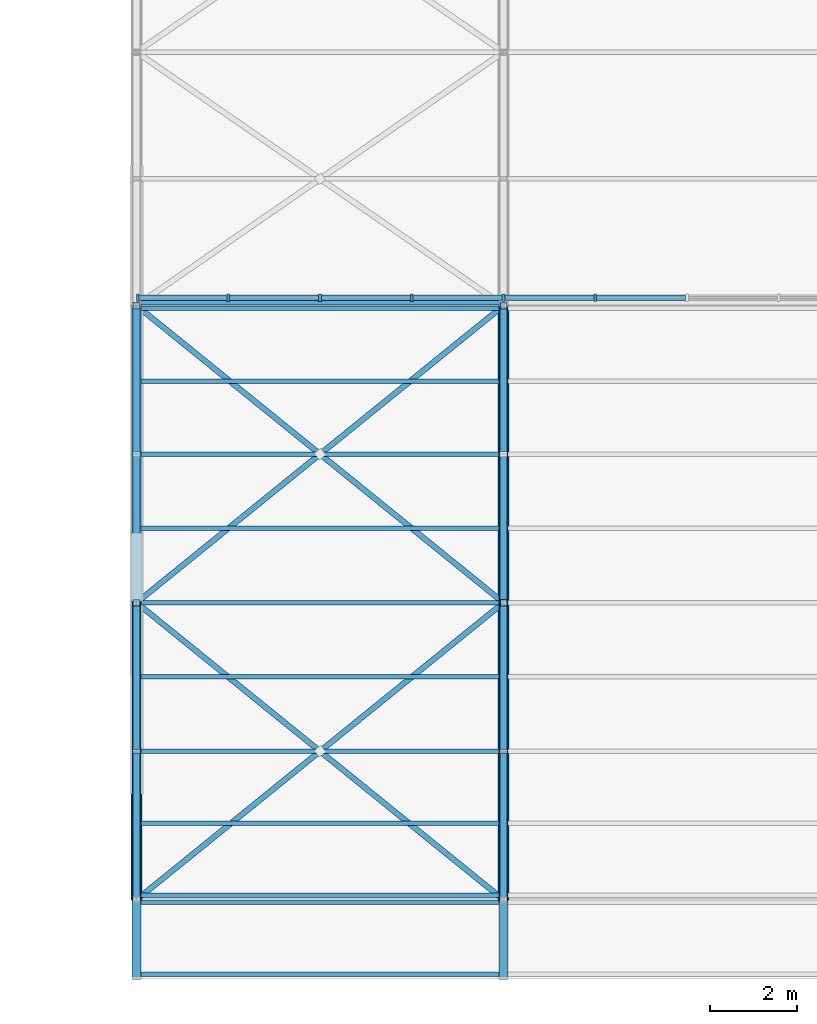
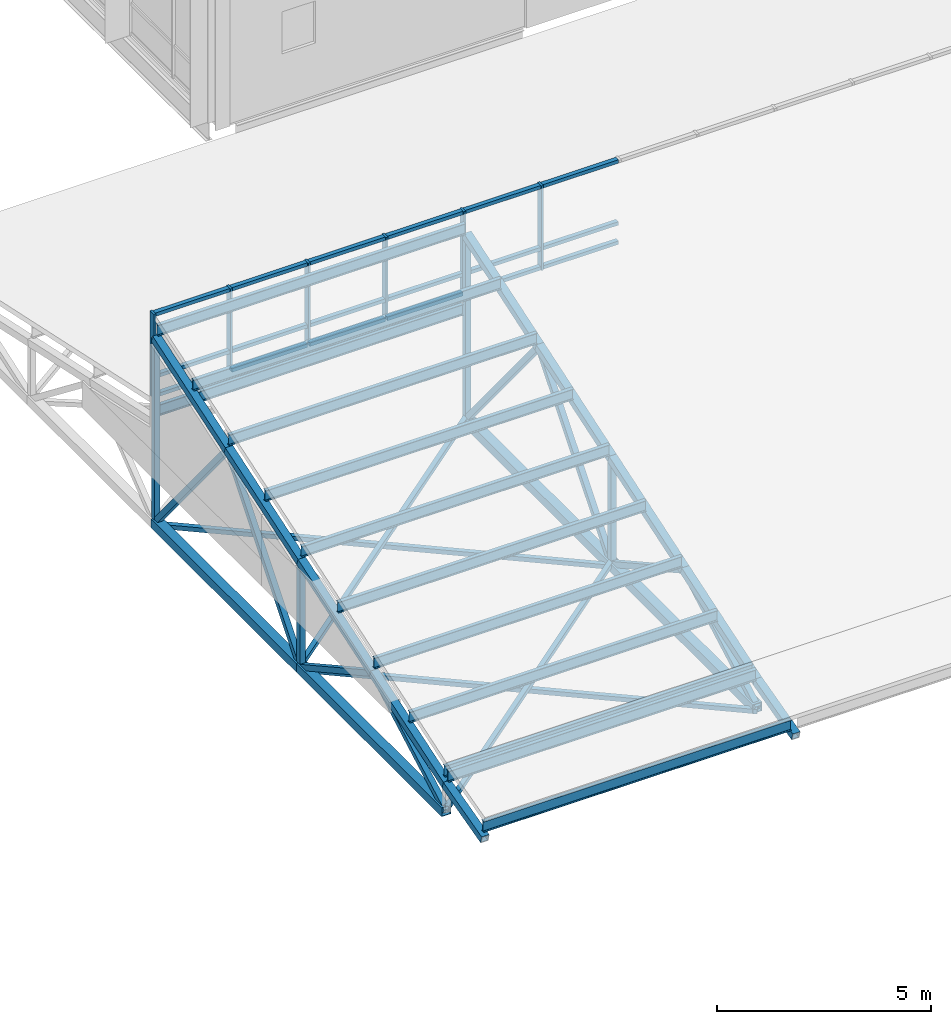
# One storey, part 18 of 89: 40 members, 26 beams, 1 element without a shape of its own.
"""IFC4 building model written with IfcOpenShell, lengths in metres."""

from ifc_helpers import new_model, si_unit, direction, frame, origin, origin_2d, place, context, subcontext, project, spatial, rectangle, hollow_rectangle, i_section, extrude, material, material_profile, profile_set, type_object, element, aggregate, save


model = new_model("IFC4")

# Units and contexts
model_context = context("Model", 3, precision=1e-05, world=origin(), true_north=direction((0.0, 1.0)))
body_context = subcontext(model_context, "Body", "Model", "MODEL_VIEW")
ifc_project = project(units=[si_unit("LENGTHUNIT", "METRE"), si_unit("AREAUNIT", "SQUARE_METRE"), si_unit("VOLUMEUNIT", "CUBIC_METRE"), si_unit("PLANEANGLEUNIT", "RADIAN"), si_unit("MASSUNIT", "GRAM", prefix="KILO")], contexts=[model_context])

# Site, building, storey
site_placement = place(None, origin())
site = spatial("IfcSite", under=ifc_project, at=site_placement, CompositionType="ELEMENT")
building_placement = place(site_placement, origin())
building = spatial("IfcBuilding", under=site, at=building_placement, Name="Hlaing Beacon Police Headquarters", CompositionType="ELEMENT")
storey_placement = place(building_placement, frame((0.0, 0.0, 9.89990234375)))
storey = spatial("IfcBuildingStorey", under=building, at=storey_placement, Name="L02", CompositionType="ELEMENT", Elevation=9.89990234375)

# Curtain wall, members
ifc_material_1 = material(Name="Aluminium frame with solar control glazing", Category="aluminium")
curtain_wall_type = type_object("IfcCurtainWallType", Name="Clerestory glazing 42.00 x 2.42", PredefinedType="NOTDEFINED", material=ifc_material_1)
curtain_wall_placement = place(storey_placement, origin())
curtain_wall = element("IfcCurtainWall", 1, at=curtain_wall_placement, inside=storey, type_object=curtain_wall_type, Name="ENV-CLR-V3-38", PredefinedType="NOTDEFINED")
ifc_material_2 = material(Name="Aluminium", Category="aluminium")
ifc_material_profile_1 = material_profile(ifc_material_2, rectangle(XDim=0.179931640625, YDim=0.06005859375, at=origin_2d()), Name="Mullion 60x180")
ifc_profile_set_1 = profile_set([ifc_material_profile_1], Name="Aluminium")
member_type_1 = type_object("IfcMemberType", Name="Mullion 60x180", PredefinedType="MULLION", material=ifc_profile_set_1)
member_1_placement = place(storey_placement, frame((92.429931640625, 22.17822265625, 2.0810546875), z_axis=(0.0, 0.0, 1.0), x_axis=(0.0, 1.0, 0.0)))
member_1 = element("IfcMember", 2, at=member_1_placement, type_object=member_type_1, Name="CLR-V3-38 mullion 1", PredefinedType="MULLION", context=body_context, shape_type="SweptSolid", body=[
    extrude(rectangle(XDim=0.179931640625, YDim=0.06005859375, at=origin_2d()), origin(), (0.0, 0.0, 1.0), 2.4189453125),
])
member_2_placement = place(storey_placement, frame((94.5, 22.17822265625, 2.0810546875), z_axis=(0.0, 0.0, 1.0), x_axis=(0.0, 1.0, 0.0)))
member_2 = element("IfcMember", 3, at=member_2_placement, type_object=member_type_1, Name="CLR-V3-38 mullion 2", PredefinedType="MULLION", context=body_context, shape_type="SweptSolid", body=[
    extrude(rectangle(XDim=0.179931640625, YDim=0.06005859375, at=origin_2d()), origin(), (0.0, 0.0, 1.0), 2.4189453125),
])
member_3_placement = place(storey_placement, frame((96.60009765625, 22.17822265625, 2.0810546875), z_axis=(0.0, 0.0, 1.0), x_axis=(0.0, 1.0, 0.0)))
member_3 = element("IfcMember", 4, at=member_3_placement, type_object=member_type_1, Name="CLR-V3-38 mullion 3", PredefinedType="MULLION", context=body_context, shape_type="SweptSolid", body=[
    extrude(rectangle(XDim=0.179931640625, YDim=0.06005859375, at=origin_2d()), origin(), (0.0, 0.0, 1.0), 2.4189453125),
])
member_4_placement = place(storey_placement, frame((98.699951171875, 22.17822265625, 2.0810546875), z_axis=(0.0, 0.0, 1.0), x_axis=(0.0, 1.0, 0.0)))
member_4 = element("IfcMember", 5, at=member_4_placement, type_object=member_type_1, Name="CLR-V3-38 mullion 4", PredefinedType="MULLION", context=body_context, shape_type="SweptSolid", body=[
    extrude(rectangle(XDim=0.179931640625, YDim=0.06005859375, at=origin_2d()), origin(), (0.0, 0.0, 1.0), 2.4189453125),
])
member_5_placement = place(storey_placement, frame((100.800048828125, 22.17822265625, 2.0810546875), z_axis=(0.0, 0.0, 1.0), x_axis=(0.0, 1.0, 0.0)))
member_5 = element("IfcMember", 6, at=member_5_placement, type_object=member_type_1, Name="CLR-V3-38 mullion 5", PredefinedType="MULLION", context=body_context, shape_type="SweptSolid", body=[
    extrude(rectangle(XDim=0.179931640625, YDim=0.06005859375, at=origin_2d()), origin(), (0.0, 0.0, 1.0), 2.4189453125),
])
member_6_placement = place(storey_placement, frame((102.89990234375, 22.17822265625, 2.0810546875), z_axis=(0.0, 0.0, 1.0), x_axis=(0.0, 1.0, 0.0)))
member_6 = element("IfcMember", 7, at=member_6_placement, type_object=member_type_1, Name="CLR-V3-38 mullion 6", PredefinedType="MULLION", context=body_context, shape_type="SweptSolid", body=[
    extrude(rectangle(XDim=0.179931640625, YDim=0.06005859375, at=origin_2d()), origin(), (0.0, 0.0, 1.0), 2.4189453125),
])

# Members
ifc_material_3 = material(Name="Steel ASTM A500 Grade C", Category="steel")
ifc_material_profile_2 = material_profile(ifc_material_3, hollow_rectangle(XDim=0.126953125, YDim=0.126953125, WallThickness=0.009521484375, at=origin_2d()), Name="HSS5x5x3/8")
ifc_profile_set_2 = profile_set([ifc_material_profile_2], Name="Steel ASTM A500 Grade C")
member_type_2 = type_object("IfcMemberType", Name="Roof plan brace HSS5x5x3/8", PredefinedType="BRACE", material=ifc_profile_set_2)
for number, where, z_axis, x_axis, name in (
    (8, (92.39990234375, 8.39990234375, -1.29931640625), (0.777248027084, 0.629194329595, 0.0), (-0.629194329595, 0.777248027084, 0.0), "STR-RT-V3-WB01"),
    (9, (100.800048828125, 8.39990234375, -1.4462890625), (-0.777248027084, 0.629194329595, 0.0), (-0.629194329595, -0.777248027084, 0.0), "STR-RT-V3-WB02"),
    (10, (92.39990234375, 15.199951171875, -1.29931640625), (0.777248027084, 0.629194329595, 0.0), (-0.629194329595, 0.777248027084, 0.0), "STR-RT-V3-WB03"),
    (11, (100.800048828125, 15.199951171875, -1.4462890625), (-0.777248027084, 0.629194329595, 0.0), (-0.629194329595, -0.777248027084, 0.0), "STR-RT-V3-WB04"),
):
    element("IfcMember", number, at=place(storey_placement, frame(where, z_axis=z_axis, x_axis=x_axis)), inside=storey, type_object=member_type_2, Name=name, PredefinedType="BRACE", context=body_context, shape_type="SweptSolid", body=[
        extrude(hollow_rectangle(XDim=0.126953125, YDim=0.126953125, WallThickness=0.009521484375, at=origin_2d()), origin(), (0.0, 0.0, 1.0), 10.8076171875),
    ])

# Beams
ifc_material_4 = material(Name="Steel ASTM A992 Grade 50", Category="steel")
ifc_material_profile_3 = material_profile(ifc_material_4, i_section(OverallWidth=0.102294921875, OverallDepth=0.3125, WebThickness=0.006591796875, FlangeThickness=0.0107421875, FilletRadius=0.007568359375, at=origin_2d()), Name="W12x22")
ifc_profile_set_3 = profile_set([ifc_material_profile_3], Name="Steel ASTM A992 Grade 50")
beam_type_1 = type_object("IfcBeamType", Name="Roof purlin W12x22", PredefinedType="BEAM", material=ifc_profile_set_3)
for number, where, z_axis, x_axis, name in (
    (12, (92.39990234375, 6.69970703125, -0.77880859375), (1.0, 0.0, 0.0), (0.0, 1.0, 0.0), "STR-RT-V3-PR-R1-01-1"),
    (13, (92.39990234375, 8.3388671875, -0.341552734375), (1.0, 0.0, 0.0), (0.0, 1.0, 0.0), "STR-RT-V3-PR-R1-02-1"),
    (14, (92.39990234375, 8.50830078125, -0.29541015625), (1.0, 0.0, 0.0), (0.0, 1.0, 0.0), "STR-RT-V3-PR-R2-01-1"),
    (15, (92.39990234375, 10.154296875, 0.2490234375), (1.0, 0.0, 0.0), (0.0, 1.0, 0.0), "STR-RT-V3-PR-R2-02-1"),
    (16, (92.39990234375, 11.800048828125, 0.793701171875), (1.0, 0.0, 0.0), (0.0, 1.0, 0.0), "STR-RT-V3-PR-R2-03-1"),
    (17, (92.39990234375, 13.5, 1.356201171875), (1.0, 0.0, 0.0), (0.0, 1.0, 0.0), "STR-RT-V3-PR-R2-04-1"),
    (18, (92.39990234375, 15.199951171875, 1.918701171875), (1.0, 0.0, 0.0), (0.0, 1.0, 0.0), "STR-RT-V3-PR-R2-05-1"),
    (19, (92.39990234375, 16.89990234375, 2.481201171875), (1.0, 0.0, 0.0), (0.0, 1.0, 0.0), "STR-RT-V3-PR-R2-06-1"),
    (20, (92.39990234375, 18.60009765625, 3.043701171875), (1.0, 0.0, 0.0), (0.0, 1.0, 0.0), "STR-RT-V3-PR-R2-07-1"),
    (21, (92.39990234375, 20.269287109375, 3.595947265625), (1.0, 0.0, 0.0), (0.0, 1.0, 0.0), "STR-RT-V3-PR-R2-08-1"),
    (22, (92.39990234375, 21.938720703125, 4.1484375), (1.0, 0.0, 0.0), (0.0, 1.0, 0.0), "STR-RT-V3-PR-R2-09-1"),
    (23, (92.39990234375, 22.061279296875, 1.765869140625), (1.0, 0.0, 0.0), (0.0, 1.0, 0.0), "STR-RT-V3-PR-R3-01-1"),
):
    element("IfcBeam", number, at=place(storey_placement, frame(where, z_axis=z_axis, x_axis=x_axis)), inside=storey, type_object=beam_type_1, Name=name, PredefinedType="BEAM", context=body_context, shape_type="SweptSolid", body=[
        extrude(i_section(OverallWidth=0.102294921875, OverallDepth=0.3125, WebThickness=0.006591796875, FlangeThickness=0.0107421875, FilletRadius=0.007568359375, at=origin_2d()), origin(), (0.0, 0.0, 1.0), 8.315185546875),
    ])

# Member
ifc_material_5 = material(Name="Aluminium", Category="aluminium")
ifc_material_profile_4 = material_profile(ifc_material_5, rectangle(XDim=0.1201171875, YDim=0.10009765625, at=origin_2d()), Name="Transom 120x100")
ifc_profile_set_4 = profile_set([ifc_material_profile_4], Name="Aluminium")
member_type_3 = type_object("IfcMemberType", Name="Transom 120x100", PredefinedType="USERDEFINED", material=ifc_profile_set_4)
member_7_placement = place(storey_placement, frame((92.4599609375, 22.17822265625, 2.131103515625), z_axis=(1.0, 0.0, 0.0), x_axis=(0.0, 1.0, 0.0)))
member_7 = element("IfcMember", 24, at=member_7_placement, type_object=member_type_3, Name="CLR-V3-38 transom 1.1", ObjectType="TRANSOM", PredefinedType="USERDEFINED", context=body_context, shape_type="SweptSolid", body=[
    extrude(rectangle(XDim=0.1201171875, YDim=0.10009765625, at=origin_2d()), origin(), (0.0, 0.0, 1.0), 2.010009765625),
])

member_8_placement = place(storey_placement, frame((92.4599609375, 22.17822265625, 2.68115234375), z_axis=(1.0, 0.0, 0.0), x_axis=(0.0, 1.0, 0.0)))
member_8 = element("IfcMember", 25, at=member_8_placement, type_object=member_type_3, Name="CLR-V3-38 transom 1.2", ObjectType="TRANSOM", PredefinedType="USERDEFINED", context=body_context, shape_type="SweptSolid", body=[
    extrude(rectangle(XDim=0.1201171875, YDim=0.10009765625, at=origin_2d()), origin(), (0.0, 0.0, 1.0), 2.010009765625),
])

member_9_placement = place(storey_placement, frame((92.4599609375, 22.17822265625, 4.4501953125), z_axis=(1.0, 0.0, 0.0), x_axis=(0.0, 1.0, 0.0)))
member_9 = element("IfcMember", 26, at=member_9_placement, type_object=member_type_3, Name="CLR-V3-38 transom 1.3", ObjectType="TRANSOM", PredefinedType="USERDEFINED", context=body_context, shape_type="SweptSolid", body=[
    extrude(rectangle(XDim=0.1201171875, YDim=0.10009765625, at=origin_2d()), origin(), (0.0, 0.0, 1.0), 2.010009765625),
])

member_10_placement = place(storey_placement, frame((94.530029296875, 22.17822265625, 2.131103515625), z_axis=(1.0, 0.0, 0.0), x_axis=(0.0, 1.0, 0.0)))
member_10 = element("IfcMember", 27, at=member_10_placement, type_object=member_type_3, Name="CLR-V3-38 transom 2.1", ObjectType="TRANSOM", PredefinedType="USERDEFINED", context=body_context, shape_type="SweptSolid", body=[
    extrude(rectangle(XDim=0.1201171875, YDim=0.10009765625, at=origin_2d()), origin(), (0.0, 0.0, 1.0), 2.0400390625),
])

member_11_placement = place(storey_placement, frame((94.530029296875, 22.17822265625, 2.68115234375), z_axis=(1.0, 0.0, 0.0), x_axis=(0.0, 1.0, 0.0)))
member_11 = element("IfcMember", 28, at=member_11_placement, type_object=member_type_3, Name="CLR-V3-38 transom 2.2", ObjectType="TRANSOM", PredefinedType="USERDEFINED", context=body_context, shape_type="SweptSolid", body=[
    extrude(rectangle(XDim=0.1201171875, YDim=0.10009765625, at=origin_2d()), origin(), (0.0, 0.0, 1.0), 2.0400390625),
])

member_12_placement = place(storey_placement, frame((94.530029296875, 22.17822265625, 4.4501953125), z_axis=(1.0, 0.0, 0.0), x_axis=(0.0, 1.0, 0.0)))
member_12 = element("IfcMember", 29, at=member_12_placement, type_object=member_type_3, Name="CLR-V3-38 transom 2.3", ObjectType="TRANSOM", PredefinedType="USERDEFINED", context=body_context, shape_type="SweptSolid", body=[
    extrude(rectangle(XDim=0.1201171875, YDim=0.10009765625, at=origin_2d()), origin(), (0.0, 0.0, 1.0), 2.0400390625),
])

member_13_placement = place(storey_placement, frame((96.6298828125, 22.17822265625, 2.131103515625), z_axis=(1.0, 0.0, 0.0), x_axis=(0.0, 1.0, 0.0)))
member_13 = element("IfcMember", 30, at=member_13_placement, type_object=member_type_3, Name="CLR-V3-38 transom 3.1", ObjectType="TRANSOM", PredefinedType="USERDEFINED", context=body_context, shape_type="SweptSolid", body=[
    extrude(rectangle(XDim=0.1201171875, YDim=0.10009765625, at=origin_2d()), origin(), (0.0, 0.0, 1.0), 2.0400390625),
])

member_14_placement = place(storey_placement, frame((96.6298828125, 22.17822265625, 2.68115234375), z_axis=(1.0, 0.0, 0.0), x_axis=(0.0, 1.0, 0.0)))
member_14 = element("IfcMember", 31, at=member_14_placement, type_object=member_type_3, Name="CLR-V3-38 transom 3.2", ObjectType="TRANSOM", PredefinedType="USERDEFINED", context=body_context, shape_type="SweptSolid", body=[
    extrude(rectangle(XDim=0.1201171875, YDim=0.10009765625, at=origin_2d()), origin(), (0.0, 0.0, 1.0), 2.0400390625),
])

member_15_placement = place(storey_placement, frame((96.6298828125, 22.17822265625, 4.4501953125), z_axis=(1.0, 0.0, 0.0), x_axis=(0.0, 1.0, 0.0)))
member_15 = element("IfcMember", 32, at=member_15_placement, type_object=member_type_3, Name="CLR-V3-38 transom 3.3", ObjectType="TRANSOM", PredefinedType="USERDEFINED", context=body_context, shape_type="SweptSolid", body=[
    extrude(rectangle(XDim=0.1201171875, YDim=0.10009765625, at=origin_2d()), origin(), (0.0, 0.0, 1.0), 2.0400390625),
])

member_16_placement = place(storey_placement, frame((98.72998046875, 22.17822265625, 2.131103515625), z_axis=(1.0, 0.0, 0.0), x_axis=(0.0, 1.0, 0.0)))
member_16 = element("IfcMember", 33, at=member_16_placement, type_object=member_type_3, Name="CLR-V3-38 transom 4.1", ObjectType="TRANSOM", PredefinedType="USERDEFINED", context=body_context, shape_type="SweptSolid", body=[
    extrude(rectangle(XDim=0.1201171875, YDim=0.10009765625, at=origin_2d()), origin(), (0.0, 0.0, 1.0), 2.0400390625),
])

member_17_placement = place(storey_placement, frame((98.72998046875, 22.17822265625, 2.68115234375), z_axis=(1.0, 0.0, 0.0), x_axis=(0.0, 1.0, 0.0)))
member_17 = element("IfcMember", 34, at=member_17_placement, type_object=member_type_3, Name="CLR-V3-38 transom 4.2", ObjectType="TRANSOM", PredefinedType="USERDEFINED", context=body_context, shape_type="SweptSolid", body=[
    extrude(rectangle(XDim=0.1201171875, YDim=0.10009765625, at=origin_2d()), origin(), (0.0, 0.0, 1.0), 2.0400390625),
])

member_18_placement = place(storey_placement, frame((98.72998046875, 22.17822265625, 4.4501953125), z_axis=(1.0, 0.0, 0.0), x_axis=(0.0, 1.0, 0.0)))
member_18 = element("IfcMember", 35, at=member_18_placement, type_object=member_type_3, Name="CLR-V3-38 transom 4.3", ObjectType="TRANSOM", PredefinedType="USERDEFINED", context=body_context, shape_type="SweptSolid", body=[
    extrude(rectangle(XDim=0.1201171875, YDim=0.10009765625, at=origin_2d()), origin(), (0.0, 0.0, 1.0), 2.0400390625),
])

member_19_placement = place(storey_placement, frame((100.830078125, 22.17822265625, 2.131103515625), z_axis=(1.0, 0.0, 0.0), x_axis=(0.0, 1.0, 0.0)))
member_19 = element("IfcMember", 36, at=member_19_placement, type_object=member_type_3, Name="CLR-V3-38 transom 5.1", ObjectType="TRANSOM", PredefinedType="USERDEFINED", context=body_context, shape_type="SweptSolid", body=[
    extrude(rectangle(XDim=0.1201171875, YDim=0.10009765625, at=origin_2d()), origin(), (0.0, 0.0, 1.0), 2.0400390625),
])

member_20_placement = place(storey_placement, frame((100.830078125, 22.17822265625, 2.68115234375), z_axis=(1.0, 0.0, 0.0), x_axis=(0.0, 1.0, 0.0)))
member_20 = element("IfcMember", 37, at=member_20_placement, type_object=member_type_3, Name="CLR-V3-38 transom 5.2", ObjectType="TRANSOM", PredefinedType="USERDEFINED", context=body_context, shape_type="SweptSolid", body=[
    extrude(rectangle(XDim=0.1201171875, YDim=0.10009765625, at=origin_2d()), origin(), (0.0, 0.0, 1.0), 2.0400390625),
])

member_21_placement = place(storey_placement, frame((100.830078125, 22.17822265625, 4.4501953125), z_axis=(1.0, 0.0, 0.0), x_axis=(0.0, 1.0, 0.0)))
member_21 = element("IfcMember", 38, at=member_21_placement, type_object=member_type_3, Name="CLR-V3-38 transom 5.3", ObjectType="TRANSOM", PredefinedType="USERDEFINED", context=body_context, shape_type="SweptSolid", body=[
    extrude(rectangle(XDim=0.1201171875, YDim=0.10009765625, at=origin_2d()), origin(), (0.0, 0.0, 1.0), 2.0400390625),
])

member_22_placement = place(storey_placement, frame((102.929931640625, 22.17822265625, 2.131103515625), z_axis=(1.0, 0.0, 0.0), x_axis=(0.0, 1.0, 0.0)))
member_22 = element("IfcMember", 39, at=member_22_placement, type_object=member_type_3, Name="CLR-V3-38 transom 6.1", ObjectType="TRANSOM", PredefinedType="USERDEFINED", context=body_context, shape_type="SweptSolid", body=[
    extrude(rectangle(XDim=0.1201171875, YDim=0.10009765625, at=origin_2d()), origin(), (0.0, 0.0, 1.0), 2.0400390625),
])

member_23_placement = place(storey_placement, frame((102.929931640625, 22.17822265625, 2.68115234375), z_axis=(1.0, 0.0, 0.0), x_axis=(0.0, 1.0, 0.0)))
member_23 = element("IfcMember", 40, at=member_23_placement, type_object=member_type_3, Name="CLR-V3-38 transom 6.2", ObjectType="TRANSOM", PredefinedType="USERDEFINED", context=body_context, shape_type="SweptSolid", body=[
    extrude(rectangle(XDim=0.1201171875, YDim=0.10009765625, at=origin_2d()), origin(), (0.0, 0.0, 1.0), 2.0400390625),
])

member_24_placement = place(storey_placement, frame((102.929931640625, 22.17822265625, 4.4501953125), z_axis=(1.0, 0.0, 0.0), x_axis=(0.0, 1.0, 0.0)))
member_24 = element("IfcMember", 41, at=member_24_placement, type_object=member_type_3, Name="CLR-V3-38 transom 6.3", ObjectType="TRANSOM", PredefinedType="USERDEFINED", context=body_context, shape_type="SweptSolid", body=[
    extrude(rectangle(XDim=0.1201171875, YDim=0.10009765625, at=origin_2d()), origin(), (0.0, 0.0, 1.0), 2.0400390625),
])

aggregate(curtain_wall, [member_1, member_2, member_3, member_4, member_5, member_6, member_7, member_8, member_9, member_10, member_11, member_12, member_13, member_14, member_15, member_16, member_17, member_18, member_19, member_20, member_21, member_22, member_23, member_24])

# Beams
ifc_material_6 = material(Name="Steel ASTM A500 Grade C", Category="steel")
ifc_material_profile_5 = material_profile(ifc_material_6, hollow_rectangle(XDim=0.25390625, YDim=0.25390625, WallThickness=0.0126953125, at=origin_2d()), Name="HSS10x10x1/2")
ifc_profile_set_5 = profile_set([ifc_material_profile_5], Name="Steel ASTM A500 Grade C")
beam_type_2 = type_object("IfcBeamType", Name="Truss bottom chord HSS10x10x1/2", PredefinedType="BEAM", material=ifc_profile_set_5)
for number, where, z_axis, x_axis, name in (
    (42, (92.39990234375, 8.39990234375, -1.372802734375), (0.0, 1.0, 0.0), (-1.0, 0.0, 0.0), "STR-RT-V3-T1-BC01"),
    (43, (92.39990234375, 15.199951171875, -1.372802734375), (0.0, 1.0, 0.0), (-1.0, 0.0, 0.0), "STR-RT-V3-T1-BC02"),
    (44, (100.800048828125, 8.39990234375, -1.372802734375), (0.0, 1.0, 0.0), (-1.0, 0.0, 0.0), "STR-RT-V3-T2-BC01"),
    (45, (100.800048828125, 15.199951171875, -1.372802734375), (0.0, 1.0, 0.0), (-1.0, 0.0, 0.0), "STR-RT-V3-T2-BC02"),
):
    element("IfcBeam", number, at=place(storey_placement, frame(where, z_axis=z_axis, x_axis=x_axis)), inside=storey, type_object=beam_type_2, Name=name, PredefinedType="BEAM", context=body_context, shape_type="SweptSolid", body=[
        extrude(hollow_rectangle(XDim=0.25390625, YDim=0.25390625, WallThickness=0.0126953125, at=origin_2d()), origin(), (0.0, 0.0, 1.0), 6.800048828125),
    ])

# Members
ifc_material_7 = material(Name="Steel ASTM A500 Grade C", Category="steel")
ifc_material_profile_6 = material_profile(ifc_material_7, hollow_rectangle(XDim=0.15234375, YDim=0.15234375, WallThickness=0.0126953125, at=origin_2d()), Name="HSS6x6x1/2")
ifc_profile_set_6 = profile_set([ifc_material_profile_6], Name="Steel ASTM A500 Grade C")
member_type_4 = type_object("IfcMemberType", Name="Truss post HSS6x6x1/2", PredefinedType="POST", material=ifc_profile_set_6)
member_25_placement = place(storey_placement, frame((92.39990234375, 15.199951171875, -1.372802734375), z_axis=(0.0, 0.0, 1.0), x_axis=(1.0, 0.0, 0.0)))
element("IfcMember", 46, at=member_25_placement, inside=storey, type_object=member_type_4, Name="STR-RT-V3-T1-PS02", PredefinedType="POST", context=body_context, shape_type="SweptSolid", body=[
    extrude(hollow_rectangle(XDim=0.15234375, YDim=0.15234375, WallThickness=0.0126953125, at=origin_2d()), origin(), (0.0, 0.0, 1.0), 3.01171875),
])
member_26_placement = place(storey_placement, frame((92.39990234375, 22.0, -1.372802734375), z_axis=(0.0, 0.0, 1.0), x_axis=(1.0, 0.0, 0.0)))
element("IfcMember", 47, at=member_26_placement, inside=storey, type_object=member_type_4, Name="STR-RT-V3-T1-PS03", PredefinedType="POST", context=body_context, shape_type="SweptSolid", body=[
    extrude(hollow_rectangle(XDim=0.15234375, YDim=0.15234375, WallThickness=0.0126953125, at=origin_2d()), origin(), (0.0, 0.0, 1.0), 5.26171875),
])
member_27_placement = place(storey_placement, frame((100.800048828125, 15.199951171875, -1.372802734375), z_axis=(0.0, 0.0, 1.0), x_axis=(1.0, 0.0, 0.0)))
element("IfcMember", 48, at=member_27_placement, inside=storey, type_object=member_type_4, Name="STR-RT-V3-T2-PS02", PredefinedType="POST", context=body_context, shape_type="SweptSolid", body=[
    extrude(hollow_rectangle(XDim=0.15234375, YDim=0.15234375, WallThickness=0.0126953125, at=origin_2d()), origin(), (0.0, 0.0, 1.0), 3.01171875),
])
member_28_placement = place(storey_placement, frame((100.800048828125, 22.0, -1.372802734375), z_axis=(0.0, 0.0, 1.0), x_axis=(1.0, 0.0, 0.0)))
element("IfcMember", 49, at=member_28_placement, inside=storey, type_object=member_type_4, Name="STR-RT-V3-T2-PS03", PredefinedType="POST", context=body_context, shape_type="SweptSolid", body=[
    extrude(hollow_rectangle(XDim=0.15234375, YDim=0.15234375, WallThickness=0.0126953125, at=origin_2d()), origin(), (0.0, 0.0, 1.0), 5.26171875),
])

# Beams
ifc_material_8 = material(Name="Steel ASTM A500 Grade C", Category="steel")
ifc_material_profile_7 = material_profile(ifc_material_8, hollow_rectangle(XDim=0.203125, YDim=0.203125, WallThickness=0.015869140625, at=origin_2d()), Name="HSS8x8x5/8")
ifc_profile_set_7 = profile_set([ifc_material_profile_7], Name="Steel ASTM A500 Grade C")
beam_type_3 = type_object("IfcBeamType", Name="Truss top chord HSS8x8x5/8", PredefinedType="BEAM", material=ifc_profile_set_7)
beam_1_placement = place(storey_placement, frame((92.39990234375, 6.60009765625, -1.080078125), z_axis=(0.0, 0.966977619685, 0.254861301553), x_axis=(-1.0, 0.0, 0.0)))
element("IfcBeam", 50, at=beam_1_placement, inside=storey, type_object=beam_type_3, Name="STR-RT-V3-T1-TC01", PredefinedType="BEAM", context=body_context, shape_type="SweptSolid", body=[
    extrude(hollow_rectangle(XDim=0.203125, YDim=0.203125, WallThickness=0.015869140625, at=origin_2d()), origin(), (0.0, 0.0, 1.0), 1.861328125),
])
beam_2_placement = place(storey_placement, frame((92.39990234375, 8.39990234375, -0.605712890625), z_axis=(0.0, 0.949829586508, 0.312767895722), x_axis=(-1.0, 0.0, 0.0)))
element("IfcBeam", 51, at=beam_2_placement, inside=storey, type_object=beam_type_3, Name="STR-RT-V3-T1-TC02", PredefinedType="BEAM", context=body_context, shape_type="SweptSolid", body=[
    extrude(hollow_rectangle(XDim=0.203125, YDim=0.203125, WallThickness=0.015869140625, at=origin_2d()), origin(), (0.0, 0.0, 1.0), 3.579833984375),
])
beam_3_placement = place(storey_placement, frame((92.39990234375, 11.800048828125, 0.513916015625), z_axis=(0.0, 0.949376368451, 0.314140909509), x_axis=(-1.0, 0.0, 0.0)))
element("IfcBeam", 52, at=beam_3_placement, inside=storey, type_object=beam_type_3, Name="STR-RT-V3-T1-TC03", PredefinedType="BEAM", context=body_context, shape_type="SweptSolid", body=[
    extrude(hollow_rectangle(XDim=0.203125, YDim=0.203125, WallThickness=0.015869140625, at=origin_2d()), origin(), (0.0, 0.0, 1.0), 3.581298828125),
])
beam_4_placement = place(storey_placement, frame((92.39990234375, 15.199951171875, 1.638916015625), z_axis=(0.0, 0.949383095411, 0.314120578994), x_axis=(-1.0, 0.0, 0.0)))
element("IfcBeam", 53, at=beam_4_placement, inside=storey, type_object=beam_type_3, Name="STR-RT-V3-T1-TC04", PredefinedType="BEAM", context=body_context, shape_type="SweptSolid", body=[
    extrude(hollow_rectangle(XDim=0.203125, YDim=0.203125, WallThickness=0.015869140625, at=origin_2d()), origin(), (0.0, 0.0, 1.0), 3.58154296875),
])
beam_5_placement = place(storey_placement, frame((92.39990234375, 18.60009765625, 2.763916015625), z_axis=(0.0, 0.949376368451, 0.314140909509), x_axis=(-1.0, 0.0, 0.0)))
element("IfcBeam", 54, at=beam_5_placement, inside=storey, type_object=beam_type_3, Name="STR-RT-V3-T1-TC05", PredefinedType="BEAM", context=body_context, shape_type="SweptSolid", body=[
    extrude(hollow_rectangle(XDim=0.203125, YDim=0.203125, WallThickness=0.015869140625, at=origin_2d()), origin(), (0.0, 0.0, 1.0), 3.581298828125),
])
beam_6_placement = place(storey_placement, frame((100.800048828125, 6.60009765625, -1.080078125), z_axis=(0.0, 0.966977619685, 0.254861301553), x_axis=(-1.0, 0.0, 0.0)))
element("IfcBeam", 55, at=beam_6_placement, inside=storey, type_object=beam_type_3, Name="STR-RT-V3-T2-TC01", PredefinedType="BEAM", context=body_context, shape_type="SweptSolid", body=[
    extrude(hollow_rectangle(XDim=0.203125, YDim=0.203125, WallThickness=0.015869140625, at=origin_2d()), origin(), (0.0, 0.0, 1.0), 1.861328125),
])
beam_7_placement = place(storey_placement, frame((100.800048828125, 8.39990234375, -0.605712890625), z_axis=(0.0, 0.949829586508, 0.312767895722), x_axis=(-1.0, 0.0, 0.0)))
element("IfcBeam", 56, at=beam_7_placement, inside=storey, type_object=beam_type_3, Name="STR-RT-V3-T2-TC02", PredefinedType="BEAM", context=body_context, shape_type="SweptSolid", body=[
    extrude(hollow_rectangle(XDim=0.203125, YDim=0.203125, WallThickness=0.015869140625, at=origin_2d()), origin(), (0.0, 0.0, 1.0), 3.579833984375),
])
beam_8_placement = place(storey_placement, frame((100.800048828125, 11.800048828125, 0.513916015625), z_axis=(0.0, 0.949376368451, 0.314140909509), x_axis=(-1.0, 0.0, 0.0)))
element("IfcBeam", 57, at=beam_8_placement, inside=storey, type_object=beam_type_3, Name="STR-RT-V3-T2-TC03", PredefinedType="BEAM", context=body_context, shape_type="SweptSolid", body=[
    extrude(hollow_rectangle(XDim=0.203125, YDim=0.203125, WallThickness=0.015869140625, at=origin_2d()), origin(), (0.0, 0.0, 1.0), 3.581298828125),
])
beam_9_placement = place(storey_placement, frame((100.800048828125, 15.199951171875, 1.638916015625), z_axis=(0.0, 0.949383095411, 0.314120578994), x_axis=(-1.0, 0.0, 0.0)))
element("IfcBeam", 58, at=beam_9_placement, inside=storey, type_object=beam_type_3, Name="STR-RT-V3-T2-TC04", PredefinedType="BEAM", context=body_context, shape_type="SweptSolid", body=[
    extrude(hollow_rectangle(XDim=0.203125, YDim=0.203125, WallThickness=0.015869140625, at=origin_2d()), origin(), (0.0, 0.0, 1.0), 3.58154296875),
])
beam_10_placement = place(storey_placement, frame((100.800048828125, 18.60009765625, 2.763916015625), z_axis=(0.0, 0.949376368451, 0.314140909509), x_axis=(-1.0, 0.0, 0.0)))
element("IfcBeam", 59, at=beam_10_placement, inside=storey, type_object=beam_type_3, Name="STR-RT-V3-T2-TC05", PredefinedType="BEAM", context=body_context, shape_type="SweptSolid", body=[
    extrude(hollow_rectangle(XDim=0.203125, YDim=0.203125, WallThickness=0.015869140625, at=origin_2d()), origin(), (0.0, 0.0, 1.0), 3.581298828125),
])

# Members
ifc_material_9 = material(Name="Steel ASTM A500 Grade C", Category="steel")
ifc_material_profile_8 = material_profile(ifc_material_9, hollow_rectangle(XDim=0.15234375, YDim=0.15234375, WallThickness=0.009521484375, at=origin_2d()), Name="HSS6x6x3/8")
ifc_profile_set_8 = profile_set([ifc_material_profile_8], Name="Steel ASTM A500 Grade C")
member_type_5 = type_object("IfcMemberType", Name="Truss web HSS6x6x3/8", PredefinedType="BRACE", material=ifc_profile_set_8)
for number, where, z_axis, x_axis, name in (
    (60, (92.39990234375, 8.39990234375, -1.372802734375), (0.0, 0.874402972299, 0.485200414298), (-1.0, 0.0, 0.0), "STR-RT-V3-T1-DG01"),
    (61, (92.39990234375, 11.800048828125, 0.513916015625), (0.0, 0.874388190335, -0.485227052629), (-1.0, 0.0, 0.0), "STR-RT-V3-T1-DG02"),
):
    element("IfcMember", number, at=place(storey_placement, frame(where, z_axis=z_axis, x_axis=x_axis)), inside=storey, type_object=member_type_5, Name=name, PredefinedType="BRACE", context=body_context, shape_type="SweptSolid", body=[
        extrude(hollow_rectangle(XDim=0.15234375, YDim=0.15234375, WallThickness=0.009521484375, at=origin_2d()), origin(), (0.0, 0.0, 1.0), 3.888427734375),
    ])
member_29_placement = place(storey_placement, frame((92.39990234375, 15.199951171875, -1.372802734375), z_axis=(0.0, 0.634976630923, 0.772531344465), x_axis=(-1.0, 0.0, 0.0)))
element("IfcMember", 62, at=member_29_placement, inside=storey, type_object=member_type_5, Name="STR-RT-V3-T1-DG03", PredefinedType="BRACE", context=body_context, shape_type="SweptSolid", body=[
    extrude(hollow_rectangle(XDim=0.15234375, YDim=0.15234375, WallThickness=0.009521484375, at=origin_2d()), origin(), (0.0, 0.0, 1.0), 5.354736328125),
])
member_30_placement = place(storey_placement, frame((92.39990234375, 18.60009765625, 2.763916015625), z_axis=(0.0, 0.634949419501, -0.772553709897), x_axis=(-1.0, 0.0, 0.0)))
element("IfcMember", 63, at=member_30_placement, inside=storey, type_object=member_type_5, Name="STR-RT-V3-T1-DG04", PredefinedType="BRACE", context=body_context, shape_type="SweptSolid", body=[
    extrude(hollow_rectangle(XDim=0.15234375, YDim=0.15234375, WallThickness=0.009521484375, at=origin_2d()), origin(), (0.0, 0.0, 1.0), 5.3544921875),
])
for number, where, z_axis, x_axis, name in (
    (64, (100.800048828125, 8.39990234375, -1.372802734375), (0.0, 0.874402972299, 0.485200414298), (-1.0, 0.0, 0.0), "STR-RT-V3-T2-DG01"),
    (65, (100.800048828125, 11.800048828125, 0.513916015625), (0.0, 0.874388190335, -0.485227052629), (-1.0, 0.0, 0.0), "STR-RT-V3-T2-DG02"),
):
    element("IfcMember", number, at=place(storey_placement, frame(where, z_axis=z_axis, x_axis=x_axis)), inside=storey, type_object=member_type_5, Name=name, PredefinedType="BRACE", context=body_context, shape_type="SweptSolid", body=[
        extrude(hollow_rectangle(XDim=0.15234375, YDim=0.15234375, WallThickness=0.009521484375, at=origin_2d()), origin(), (0.0, 0.0, 1.0), 3.888427734375),
    ])
member_31_placement = place(storey_placement, frame((100.800048828125, 15.199951171875, -1.372802734375), z_axis=(0.0, 0.634976630923, 0.772531344465), x_axis=(-1.0, 0.0, 0.0)))
element("IfcMember", 66, at=member_31_placement, inside=storey, type_object=member_type_5, Name="STR-RT-V3-T2-DG03", PredefinedType="BRACE", context=body_context, shape_type="SweptSolid", body=[
    extrude(hollow_rectangle(XDim=0.15234375, YDim=0.15234375, WallThickness=0.009521484375, at=origin_2d()), origin(), (0.0, 0.0, 1.0), 5.354736328125),
])
member_32_placement = place(storey_placement, frame((100.800048828125, 18.60009765625, 2.763916015625), z_axis=(0.0, 0.634949419501, -0.772553709897), x_axis=(-1.0, 0.0, 0.0)))
element("IfcMember", 67, at=member_32_placement, inside=storey, type_object=member_type_5, Name="STR-RT-V3-T2-DG04", PredefinedType="BRACE", context=body_context, shape_type="SweptSolid", body=[
    extrude(hollow_rectangle(XDim=0.15234375, YDim=0.15234375, WallThickness=0.009521484375, at=origin_2d()), origin(), (0.0, 0.0, 1.0), 5.3544921875),
])

save(model, "model.ifc")
